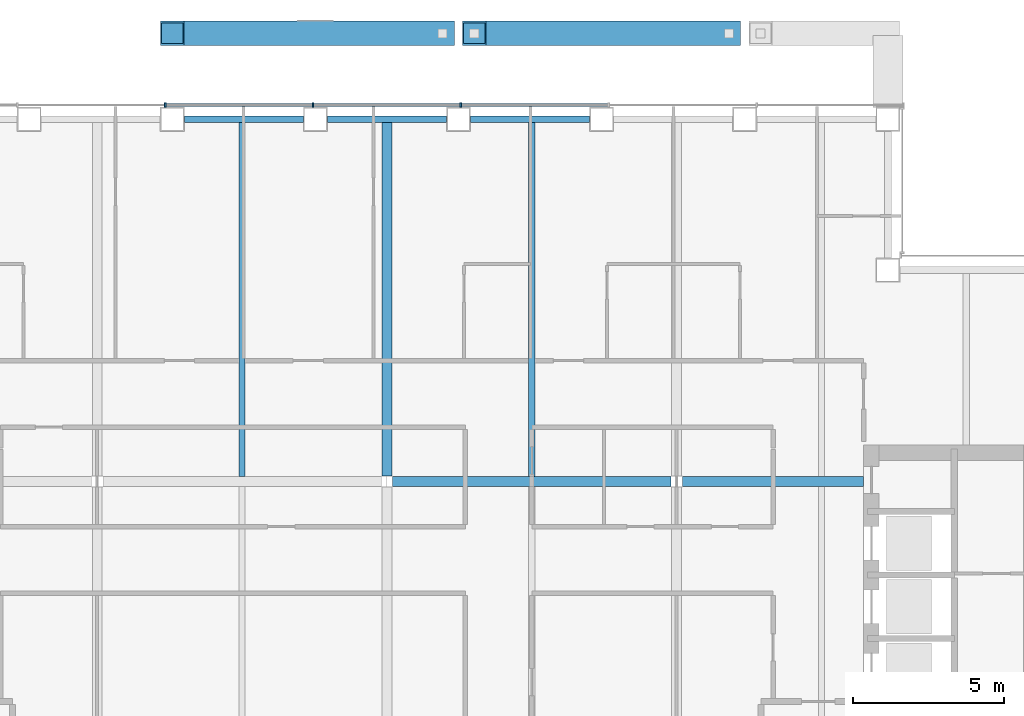
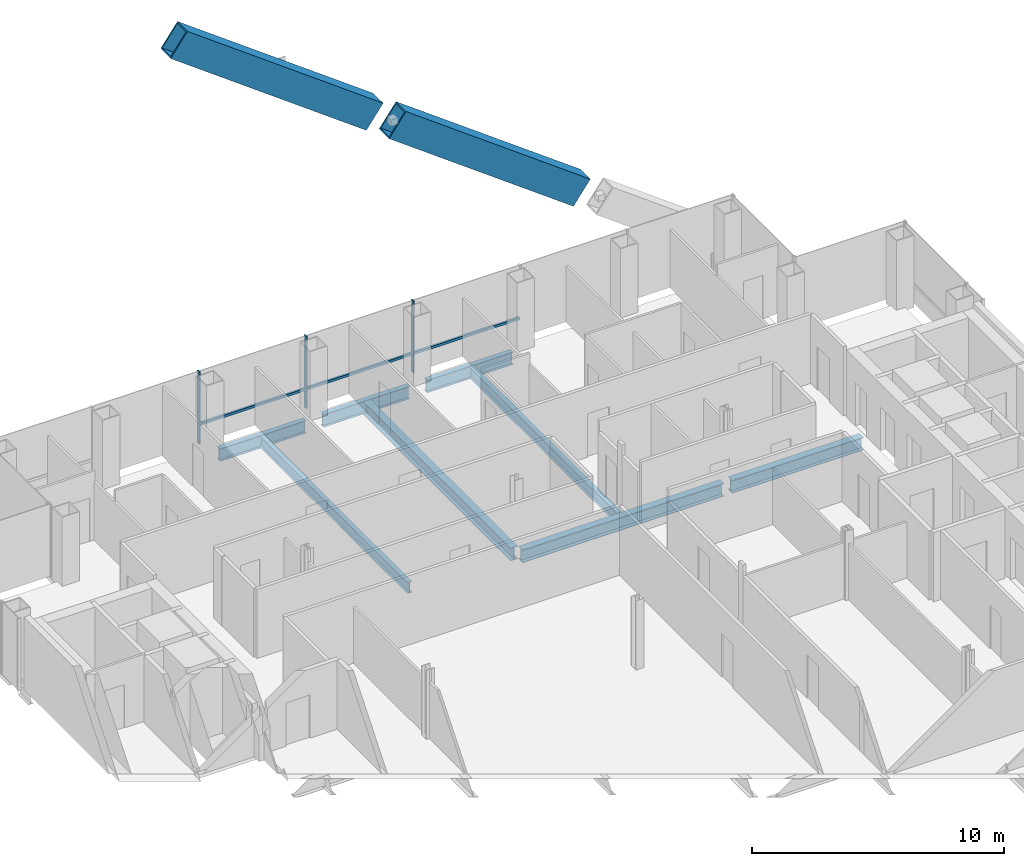
# One storey, part 9 of 18: 8 beams, 8 members, 1 element without a shape of its own.
"""IFC4 building model written with IfcOpenShell, lengths in metres."""

from ifc_helpers import new_model, si_unit, direction, frame, origin, origin_2d, place, context, subcontext, project, spatial, rectangle, hollow_rectangle, i_section, extrude, material, material_profile, profile_set, type_object, element, aggregate, save


model = new_model("IFC4")

# Units and contexts
model_context = context("Model", 3, precision=1e-05, world=origin(), true_north=direction((0.0, 1.0)))
body_context = subcontext(model_context, "Body", "Model", "MODEL_VIEW")
ifc_project = project(units=[si_unit("LENGTHUNIT", "METRE"), si_unit("AREAUNIT", "SQUARE_METRE"), si_unit("VOLUMEUNIT", "CUBIC_METRE"), si_unit("PLANEANGLEUNIT", "RADIAN"), si_unit("MASSUNIT", "GRAM", prefix="KILO")], contexts=[model_context])

# Site, building, storey
site_placement = place(None, origin())
site = spatial("IfcSite", under=ifc_project, at=site_placement, CompositionType="ELEMENT")
building_placement = place(site_placement, origin())
building = spatial("IfcBuilding", under=site, at=building_placement, Name="Cobrizo Arcos Hotel Tower", CompositionType="ELEMENT")
storey_placement = place(building_placement, frame((0.0, 0.0, 158.5)))
storey = spatial("IfcBuildingStorey", under=building, at=storey_placement, Name="L40", CompositionType="ELEMENT", Elevation=158.5)

# Members
ifc_material_1 = material(Name="Steel ASTM A572 Grade 50", Category="steel")
ifc_material_profile_1 = material_profile(ifc_material_1, hollow_rectangle(XDim=0.800048828125, YDim=1.300048828125, WallThickness=0.06005859375, at=origin_2d()), Name="BOX 800X1300X60")
ifc_profile_set_1 = profile_set([ifc_material_profile_1], Name="Steel ASTM A572 Grade 50")
member_type_1 = type_object("IfcMemberType", Name="BOX 800X1300X60 perimeter brace", PredefinedType="BRACE", material=ifc_profile_set_1)
member_1_placement = place(storey_placement, frame((11.333984375, 24.449951171875, 4.385986328125), z_axis=(-0.804623858684, 0.0, 0.593784848271), x_axis=(0.0, -1.0, 0.0)))
element("IfcMember", 1, at=member_1_placement, inside=storey, type_object=member_type_1, Name="Perimeter brace PBR3, zone Z3, north face, no. 08b", PredefinedType="BRACE", context=body_context, shape_type="SweptSolid", body=[
    extrude(hollow_rectangle(XDim=0.800048828125, YDim=1.300048828125, WallThickness=0.06005859375, at=origin_2d()), origin(), (0.0, 0.0, 1.0), 10.48876953125),
])
member_2_placement = place(storey_placement, frame((1.84814453125, 24.449951171875, 11.385986328125), z_axis=(-0.804620954099, 0.0, 0.593788784186), x_axis=(0.0, -1.0, 0.0)))
element("IfcMember", 2, at=member_2_placement, inside=storey, type_object=member_type_1, Name="Perimeter brace PBR3, zone Z3, north face, no. 08c", PredefinedType="BRACE", context=body_context, shape_type="SweptSolid", body=[
    extrude(hollow_rectangle(XDim=0.800048828125, YDim=1.300048828125, WallThickness=0.06005859375, at=origin_2d()), origin(), (0.0, 0.0, 1.0), 11.138671875),
])

# Curtain wall, members
ifc_material_2 = material(Name="Aluminium 6063-T6 anodised bronze", Category="aluminium")
curtain_wall_type = type_object("IfcCurtainWallType", Name="CW-A guest facade", PredefinedType="NOTDEFINED", material=ifc_material_2)
curtain_wall_placement = place(storey_placement, origin())
curtain_wall = element("IfcCurtainWall", 3, at=curtain_wall_placement, inside=storey, type_object=curtain_wall_type, Name="CW-A L40 N face", PredefinedType="NOTDEFINED")
ifc_material_profile_2 = material_profile(ifc_material_2, rectangle(XDim=0.14990234375, YDim=0.06005859375, at=origin_2d()), Name="CW-A mullion 150x60")
ifc_profile_set_2 = profile_set([ifc_material_profile_2], Name="Aluminium 6063-T6 anodised bronze")
member_type_2 = type_object("IfcMemberType", Name="CW-A mullion 150x60", PredefinedType="MULLION", material=ifc_profile_set_2)
member_3_placement = place(storey_placement, frame((2.449951171875, 22.074951171875, 0.0), z_axis=(0.0, 0.0, 1.0), x_axis=(0.0, 1.0, 0.0)))
member_3 = element("IfcMember", 4, at=member_3_placement, type_object=member_type_2, Name="CW-A mullion 4", PredefinedType="MULLION", context=body_context, shape_type="SweptSolid", body=[
    extrude(rectangle(XDim=0.14990234375, YDim=0.06005859375, at=origin_2d()), origin(), (0.0, 0.0, 1.0), 3.5),
])
member_4_placement = place(storey_placement, frame((-2.449951171875, 22.074951171875, 0.0), z_axis=(0.0, 0.0, 1.0), x_axis=(0.0, 1.0, 0.0)))
member_4 = element("IfcMember", 5, at=member_4_placement, type_object=member_type_2, Name="CW-A mullion 5", PredefinedType="MULLION", context=body_context, shape_type="SweptSolid", body=[
    extrude(rectangle(XDim=0.14990234375, YDim=0.06005859375, at=origin_2d()), origin(), (0.0, 0.0, 1.0), 3.5),
])
member_5_placement = place(storey_placement, frame((-7.35009765625, 22.074951171875, 0.0), z_axis=(0.0, 0.0, 1.0), x_axis=(0.0, 1.0, 0.0)))
member_5 = element("IfcMember", 6, at=member_5_placement, type_object=member_type_2, Name="CW-A mullion 6", PredefinedType="MULLION", context=body_context, shape_type="SweptSolid", body=[
    extrude(rectangle(XDim=0.14990234375, YDim=0.06005859375, at=origin_2d()), origin(), (0.0, 0.0, 1.0), 3.5),
])
ifc_material_profile_3 = material_profile(ifc_material_2, rectangle(XDim=0.10009765625, YDim=0.1201171875, at=origin_2d()), Name="CW-A transom 120x100")
ifc_profile_set_3 = profile_set([ifc_material_profile_3], Name="Aluminium 6063-T6 anodised bronze")
member_type_3 = type_object("IfcMemberType", Name="CW-A transom 120x100", PredefinedType="USERDEFINED", material=ifc_profile_set_3)
member_6_placement = place(storey_placement, frame((7.320068359375, 22.074951171875, 0.929931640625), z_axis=(-1.0, 0.0, 0.0), x_axis=(0.0, -1.0, 0.0)))
member_6 = element("IfcMember", 7, at=member_6_placement, type_object=member_type_3, Name="CW-A transom 1443", ObjectType="TRANSOM", PredefinedType="USERDEFINED", context=body_context, shape_type="SweptSolid", body=[
    extrude(rectangle(XDim=0.10009765625, YDim=0.1201171875, at=origin_2d()), origin(), (0.0, 0.0, 1.0), 4.840087890625),
])
member_7_placement = place(storey_placement, frame((2.419921875, 22.074951171875, 0.929931640625), z_axis=(-1.0, 0.0, 0.0), x_axis=(0.0, -1.0, 0.0)))
member_7 = element("IfcMember", 8, at=member_7_placement, type_object=member_type_3, Name="CW-A transom 1444", ObjectType="TRANSOM", PredefinedType="USERDEFINED", context=body_context, shape_type="SweptSolid", body=[
    extrude(rectangle(XDim=0.10009765625, YDim=0.1201171875, at=origin_2d()), origin(), (0.0, 0.0, 1.0), 4.83984375),
])
member_8_placement = place(storey_placement, frame((-2.47998046875, 22.074951171875, 0.929931640625), z_axis=(-1.0, 0.0, 0.0), x_axis=(0.0, -1.0, 0.0)))
member_8 = element("IfcMember", 9, at=member_8_placement, type_object=member_type_3, Name="CW-A transom 1445", ObjectType="TRANSOM", PredefinedType="USERDEFINED", context=body_context, shape_type="SweptSolid", body=[
    extrude(rectangle(XDim=0.10009765625, YDim=0.1201171875, at=origin_2d()), origin(), (0.0, 0.0, 1.0), 4.840087890625),
])
aggregate(curtain_wall, [member_3, member_4, member_5, member_6, member_7, member_8])

# Beams
ifc_material_3 = material(Name="Steel ASTM A992 Grade 50", Category="steel")
ifc_material_profile_4 = material_profile(ifc_material_3, i_section(OverallWidth=0.209228515625, OverallDepth=0.533447265625, WebThickness=0.01025390625, FlangeThickness=0.015625, at=origin_2d()), Name="W21X62")
ifc_profile_set_4 = profile_set([ifc_material_profile_4], Name="Steel ASTM A992 Grade 50")
beam_type_1 = type_object("IfcBeamType", Name="W21X62 joist", PredefinedType="JOIST", material=ifc_profile_set_4)
for number, where, z_axis, x_axis, name in (
    (10, (-4.800048828125, 9.763916015625, -0.416748046875), (0.0, 1.0, 0.0), (-1.0, 0.0, 0.0), "Floor joist J1, L40, no. 010"),
    (11, (4.800048828125, 9.763916015625, -0.416748046875), (0.0, 1.0, 0.0), (-1.0, 0.0, 0.0), "Floor joist J1, L40, no. 014"),
):
    element("IfcBeam", number, at=place(storey_placement, frame(where, z_axis=z_axis, x_axis=x_axis)), inside=storey, type_object=beam_type_1, Name=name, PredefinedType="JOIST", context=body_context, shape_type="SweptSolid", body=[
        extrude(i_section(OverallWidth=0.209228515625, OverallDepth=0.533447265625, WebThickness=0.01025390625, FlangeThickness=0.015625, at=origin_2d()), origin(), (0.0, 0.0, 1.0), 11.74609375),
    ])
ifc_material_profile_5 = material_profile(ifc_material_3, i_section(OverallWidth=0.32763671875, OverallDepth=0.622314453125, WebThickness=0.015380859375, FlangeThickness=0.0244140625, at=origin_2d()), Name="W24X131")
ifc_profile_set_5 = profile_set([ifc_material_profile_5], Name="Steel ASTM A992 Grade 50")
beam_type_2 = type_object("IfcBeamType", Name="W24X131 girder", PredefinedType="BEAM", material=ifc_profile_set_5)
beam_1_placement = place(storey_placement, frame((0.186767578125, 9.60009765625, -0.461181640625), z_axis=(1.0, 0.0, 0.0), x_axis=(0.0, 1.0, 0.0)))
element("IfcBeam", 12, at=beam_1_placement, inside=storey, type_object=beam_type_2, Name="Floor girder G1, L40, no. 011", PredefinedType="BEAM", context=body_context, shape_type="SweptSolid", body=[
    extrude(i_section(OverallWidth=0.32763671875, OverallDepth=0.622314453125, WebThickness=0.015380859375, FlangeThickness=0.0244140625, at=origin_2d()), origin(), (0.0, 0.0, 1.0), 9.2265625),
])
beam_2_placement = place(storey_placement, frame((9.78662109375, 9.60009765625, -0.461181640625), z_axis=(1.0, 0.0, 0.0), x_axis=(0.0, 1.0, 0.0)))
element("IfcBeam", 13, at=beam_2_placement, inside=storey, type_object=beam_type_2, Name="Floor girder G1, L40, no. 012", PredefinedType="BEAM", context=body_context, shape_type="SweptSolid", body=[
    extrude(i_section(OverallWidth=0.32763671875, OverallDepth=0.622314453125, WebThickness=0.015380859375, FlangeThickness=0.0244140625, at=origin_2d()), origin(), (0.0, 0.0, 1.0), 6.00341796875),
])
beam_3_placement = place(storey_placement, frame((0.0, 9.78662109375, -0.461181640625), z_axis=(0.0, 1.0, 0.0), x_axis=(-1.0, 0.0, 0.0)))
element("IfcBeam", 14, at=beam_3_placement, inside=storey, type_object=beam_type_2, Name="Floor girder G1, L40, no. 020", PredefinedType="BEAM", context=body_context, shape_type="SweptSolid", body=[
    extrude(i_section(OverallWidth=0.32763671875, OverallDepth=0.622314453125, WebThickness=0.015380859375, FlangeThickness=0.0244140625, at=origin_2d()), origin(), (0.0, 0.0, 1.0), 11.723388671875),
])
ifc_material_profile_6 = material_profile(ifc_material_3, i_section(OverallWidth=0.228271484375, OverallDepth=0.607177734375, WebThickness=0.01123046875, FlangeThickness=0.017333984375, at=origin_2d()), Name="W24X76")
ifc_profile_set_6 = profile_set([ifc_material_profile_6], Name="Steel ASTM A992 Grade 50")
beam_type_3 = type_object("IfcBeamType", Name="W24X76 spandrel", PredefinedType="SPANDREL", material=ifc_profile_set_6)
beam_4_placement = place(storey_placement, frame((6.714111328125, 21.60009765625, -0.45361328125), z_axis=(-1.0, 0.0, 0.0), x_axis=(0.0, -1.0, 0.0)))
element("IfcBeam", 15, at=beam_4_placement, inside=storey, type_object=beam_type_3, Name="Spandrel beam W24X76, L40, no. 018", PredefinedType="SPANDREL", context=body_context, shape_type="SweptSolid", body=[
    extrude(i_section(OverallWidth=0.228271484375, OverallDepth=0.607177734375, WebThickness=0.01123046875, FlangeThickness=0.017333984375, at=origin_2d()), origin(), (0.0, 0.0, 1.0), 3.943115234375),
])
beam_5_placement = place(storey_placement, frame((1.970947265625, 21.60009765625, -0.45361328125), z_axis=(-1.0, 0.0, 0.0), x_axis=(0.0, -1.0, 0.0)))
element("IfcBeam", 16, at=beam_5_placement, inside=storey, type_object=beam_type_3, Name="Spandrel beam W24X76, L40, no. 019", PredefinedType="SPANDREL", context=body_context, shape_type="SweptSolid", body=[
    extrude(i_section(OverallWidth=0.228271484375, OverallDepth=0.607177734375, WebThickness=0.01123046875, FlangeThickness=0.017333984375, at=origin_2d()), origin(), (0.0, 0.0, 1.0), 3.94189453125),
])
beam_6_placement = place(storey_placement, frame((-2.77099609375, 21.60009765625, -0.45361328125), z_axis=(-1.0, 0.0, 0.0), x_axis=(0.0, -1.0, 0.0)))
element("IfcBeam", 17, at=beam_6_placement, inside=storey, type_object=beam_type_3, Name="Spandrel beam W24X76, L40, no. 020", PredefinedType="SPANDREL", context=body_context, shape_type="SweptSolid", body=[
    extrude(i_section(OverallWidth=0.228271484375, OverallDepth=0.607177734375, WebThickness=0.01123046875, FlangeThickness=0.017333984375, at=origin_2d()), origin(), (0.0, 0.0, 1.0), 3.943115234375),
])

save(model, "model.ifc")
